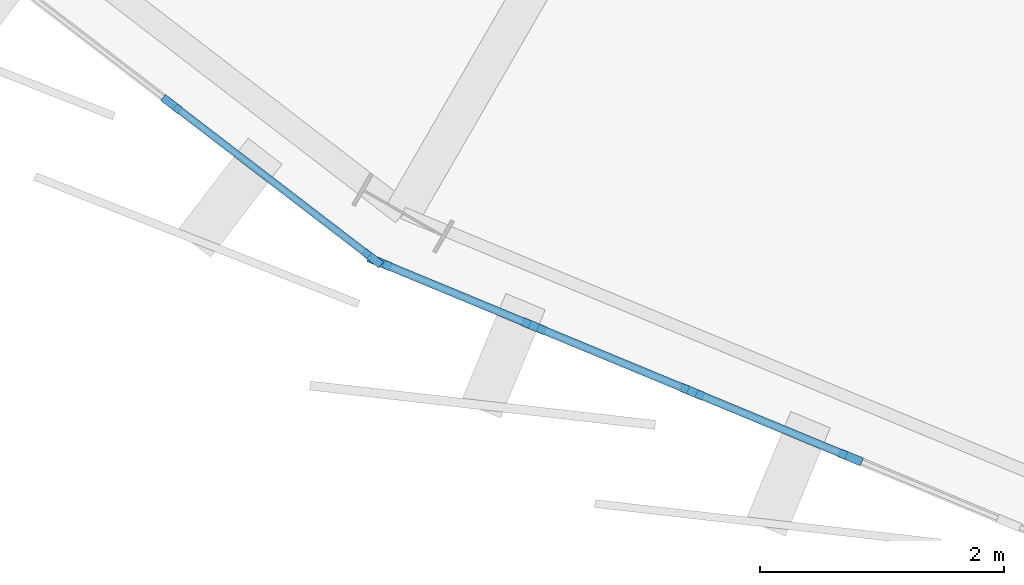
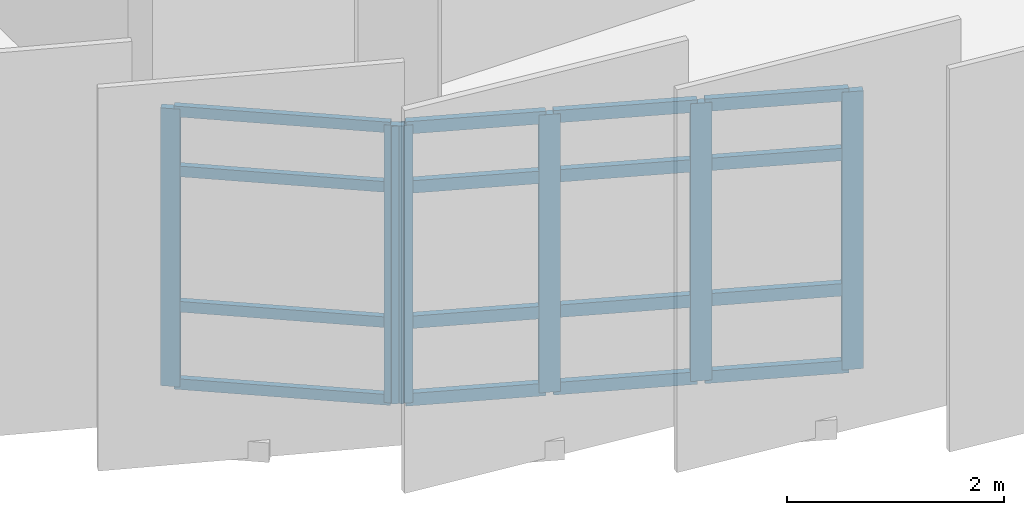
# One storey, part 25 of 125: 22 members, 2 elements without a shape of their own.
"""IFC4 building model written with IfcOpenShell, lengths in metres."""

import ifcopenshell
import ifcopenshell.guid

model = None  # the IFC model being written
_history = None  # IfcOwnerHistory: only IFC2X3 demands one
_inside = {}  # id of a spatial element -> (the spatial element, [elements in it])
_under = {}  # id of a project, library or spatial element -> (it, [spatial elements below it])
_declared = {}  # id of a project -> (the project, [libraries it declares])
_typed = {}  # id of a type object -> (the type object, [elements of that type])
_made_of = {}  # id of a material, layer set ... -> (it, [elements and type objects made of it])


def new_model(schema):
    """Start an empty IFC model of exactly this schema.

    Asked for "IFC4X3", IfcOpenShell would pick the latest addendum, in which some entities
    have other attributes; the version numbers below select the first issue.
    IFC2X3 requires an IfcOwnerHistory on every rooted entity: one is made here for all.
    """
    global model, _history
    if schema == "IFC4X3":
        model = ifcopenshell.file(schema_version=(4, 3, 0, 0))
    else:
        model = ifcopenshell.file(schema=schema)
    _inside.clear()
    _under.clear()
    _declared.clear()
    _typed.clear()
    _made_of.clear()
    _history = None
    if model.schema == "IFC2X3":
        org = make("IfcOrganization", Name="unknown")
        user = make(
            "IfcPersonAndOrganization",
            ThePerson=make("IfcPerson", FamilyName="unknown"),
            TheOrganization=org,
        )
        app = make(
            "IfcApplication",
            ApplicationDeveloper=org,
            Version="unknown",
            ApplicationFullName="unknown",
            ApplicationIdentifier="unknown",
        )
        _history = make(
            "IfcOwnerHistory",
            OwningUser=user,
            OwningApplication=app,
            ChangeAction="ADDED",
            CreationDate=0,
        )
    return model


def make(cls, **values):
    """One entity of the class cls with the attributes given. An attribute that is None is left unset."""
    return model.create_entity(
        cls, **{name: value for name, value in values.items() if value is not None}
    )


def rooted(cls, **values):
    """An entity with a GlobalId (a new one), such as an element, a storey or a relation."""
    return make(cls, GlobalId=ifcopenshell.guid.new(), OwnerHistory=_history, **values)


def si_unit(unit_type, name, prefix=None):
    """IfcSIUnit, for example si_unit("LENGTHUNIT", "METRE", prefix="MILLI")."""
    return make("IfcSIUnit", UnitType=unit_type, Prefix=prefix, Name=name)


def assignment(units):
    """IfcUnitAssignment: the units of a project."""
    return None if units is None else make("IfcUnitAssignment", Units=units)


def point(xyz):
    """IfcCartesianPoint."""
    return None if xyz is None else make("IfcCartesianPoint", Coordinates=xyz)


def direction(xyz):
    """IfcDirection."""
    return None if xyz is None else make("IfcDirection", DirectionRatios=xyz)


def frame(location, z_axis=None, x_axis=None):
    """IfcAxis2Placement3D, a coordinate frame: its origin and axes. An axis left out is left unset."""
    return make(
        "IfcAxis2Placement3D",
        Location=point(location),
        Axis=direction(z_axis),
        RefDirection=direction(x_axis),
    )


def frame_2d(location, x_axis=None):
    """IfcAxis2Placement2D, a coordinate frame in the plane: its origin and x axis."""
    return make(
        "IfcAxis2Placement2D", Location=point(location), RefDirection=direction(x_axis)
    )


def origin():
    """The frame at (0, 0, 0) with its axes left unset."""
    return frame((0.0, 0.0, 0.0))


def origin_2d():
    """The frame at (0, 0) in the plane with its x axis left unset."""
    return frame_2d((0.0, 0.0))


def place(relative_to, where):
    """IfcLocalPlacement: puts the frame where relative to a parent placement (None: the world)."""
    return make(
        "IfcLocalPlacement", PlacementRelTo=relative_to, RelativePlacement=where
    )


def context(
    kind, dimensions, precision=None, world=None, true_north=None, identifier=None
):
    """IfcGeometricRepresentationContext, for example the 3D "Model" context."""
    return make(
        "IfcGeometricRepresentationContext",
        ContextIdentifier=identifier,
        ContextType=kind,
        CoordinateSpaceDimension=dimensions,
        Precision=precision,
        WorldCoordinateSystem=world,
        TrueNorth=true_north,
    )


def subcontext(parent, identifier, kind, view, scale=None):
    """IfcGeometricRepresentationSubContext, for example "Body" below "Model"."""
    return make(
        "IfcGeometricRepresentationSubContext",
        ContextIdentifier=identifier,
        ContextType=kind,
        ParentContext=parent,
        TargetScale=scale,
        TargetView=view,
    )


def project(units=None, contexts=None):
    """IfcProject with its units and contexts."""
    return rooted(
        "IfcProject",
        Name="project",
        RepresentationContexts=contexts,
        UnitsInContext=assignment(units),
    )


def spatial(cls, under=None, at=None, **own):
    """A site, building, storey or space (cls), placed at a placement, below another one or the project."""
    s = rooted(cls, ObjectPlacement=at, **own)
    if under is not None:
        _under.setdefault(under.id(), (under, []))[1].append(s)
    return s


def profile(cls, at=None, kind="AREA", **sizes):
    """A parametric profile (cls). Its sizes go by their IFC names, for example OverallWidth=200.0."""
    return make(cls, ProfileType=kind, Position=at, **sizes)


def rectangle(**sizes):
    """IfcRectangleProfileDef."""
    return profile("IfcRectangleProfileDef", **sizes)


def extrude(swept, where, along, depth):
    """IfcExtrudedAreaSolid: the profile swept, set in the frame where, extruded along a direction by depth."""
    return make(
        "IfcExtrudedAreaSolid",
        SweptArea=swept,
        Position=where,
        ExtrudedDirection=direction(along),
        Depth=depth,
    )


def shape(context_of_items, identifier, shape_type, items):
    """IfcShapeRepresentation: the items that make up one representation, for example the "Body"."""
    return make(
        "IfcShapeRepresentation",
        ContextOfItems=context_of_items,
        RepresentationIdentifier=identifier,
        RepresentationType=shape_type,
        Items=items,
    )


def material(Name=None, Category=None):
    """IfcMaterial."""
    return make("IfcMaterial", Name=Name, Category=Category)


def layer(
    of_material, thickness, ventilated=None, Name=None, Category=None, Priority=None
):
    """IfcMaterialLayer: one layer of a wall or slab, of a material (None: an air gap)."""
    return make(
        "IfcMaterialLayer",
        Material=of_material,
        LayerThickness=thickness,
        IsVentilated=ventilated,
        Name=Name,
        Category=Category,
        Priority=Priority,
    )


def layer_set(layers, Name=None):
    """IfcMaterialLayerSet."""
    return make("IfcMaterialLayerSet", MaterialLayers=layers, LayerSetName=Name)


def material_profile(
    of_material, cross_section, Name=None, Category=None, Priority=None
):
    """IfcMaterialProfile: a cross section and its material."""
    return make(
        "IfcMaterialProfile",
        Name=Name,
        Material=of_material,
        Profile=cross_section,
        Priority=Priority,
        Category=Category,
    )


def profile_set(profiles, Name=None, composite=None):
    """IfcMaterialProfileSet."""
    return make(
        "IfcMaterialProfileSet",
        Name=Name,
        MaterialProfiles=profiles,
        CompositeProfile=composite,
    )


def made_of(thing, what):
    """Note that an element or type object is made of a material, layer set ...; save() writes the relation."""
    if what is not None:
        _made_of.setdefault(what.id(), (what, []))[1].append(thing)
    return thing


def type_object(cls, material=None, **own):
    """A type object (cls), such as IfcWallType, which elements share."""
    return made_of(rooted(cls, **own), material)


def element(
    cls,
    number,
    at=None,
    inside=None,
    cuts=None,
    type_object=None,
    material=None,
    context=None,
    identifier="Body",
    shape_type=None,
    held_by="IfcProductDefinitionShape",
    body=None,
    shapes=None,
    **own,
):
    """One element of the class cls, such as IfcWall. Its Tag is "e" and its number.

    at: its placement. inside: the storey or other place that contains it. cuts: it is an
    opening in that element (IfcRelVoidsElement). A single representation is given by context,
    identifier, shape_type and body (its items); several are given by shapes. held_by: the class
    of the entity that holds the representations. save() writes the other relations.
    """
    e = rooted(cls, Tag="e%d" % number, ObjectPlacement=at, **own)
    if body is not None:
        shapes = [shape(context, identifier, shape_type, body)]
    if shapes is not None:
        e.Representation = make(held_by, Representations=shapes)
    if inside is not None:
        _inside.setdefault(inside.id(), (inside, []))[1].append(e)
    if cuts is not None:
        rooted(
            "IfcRelVoidsElement", RelatingBuildingElement=cuts, RelatedOpeningElement=e
        )
    if type_object is not None:
        _typed.setdefault(type_object.id(), (type_object, []))[1].append(e)
    return made_of(e, material)


def aggregate(whole, parts):
    """IfcRelAggregates: a whole, such as a stair, and the parts it consists of."""
    return rooted("IfcRelAggregates", RelatingObject=whole, RelatedObjects=parts)


def save(model, path):
    """Write the relations noted so far, then the file.

    IfcRelAggregates (storeys below a building ...), IfcRelContainedInSpatialStructure (elements
    in a storey), IfcRelDefinesByType, IfcRelAssociatesMaterial and IfcRelDeclares: one each for
    every whole, place, type object, material and project.
    """
    for whole, parts in _under.values():
        aggregate(whole, parts)
    for where, things in _inside.values():
        rooted(
            "IfcRelContainedInSpatialStructure",
            RelatedElements=things,
            RelatingStructure=where,
        )
    for kind, things in _typed.values():
        rooted("IfcRelDefinesByType", RelatedObjects=things, RelatingType=kind)
    for what, things in _made_of.values():
        rooted("IfcRelAssociatesMaterial", RelatedObjects=things, RelatingMaterial=what)
    for by, libraries in _declared.values():
        rooted("IfcRelDeclares", RelatingContext=by, RelatedDefinitions=libraries)
    model.write(path)


model = new_model("IFC4")

# Units and contexts
model_context = context("Model", 3, precision=1e-05, world=origin(), true_north=direction((0.0, 1.0)))
body_context = subcontext(model_context, "Body", "Model", "MODEL_VIEW")
ifc_project = project(units=[si_unit("LENGTHUNIT", "METRE"), si_unit("AREAUNIT", "SQUARE_METRE"), si_unit("VOLUMEUNIT", "CUBIC_METRE"), si_unit("PLANEANGLEUNIT", "RADIAN"), si_unit("MASSUNIT", "GRAM", prefix="KILO")], contexts=[model_context])

# Site, building, storey
site_placement = place(None, origin())
site = spatial("IfcSite", under=ifc_project, at=site_placement, CompositionType="ELEMENT")
building_placement = place(site_placement, origin())
building = spatial("IfcBuilding", under=site, at=building_placement, Name="Sohan Crest Arena", CompositionType="ELEMENT")
storey_placement = place(building_placement, frame((0.0, 0.0, 9.0)))
storey = spatial("IfcBuildingStorey", under=building, at=storey_placement, Name="L02", CompositionType="ELEMENT", Elevation=9.0)

# Curtain wall, members
ifc_material = material(Name="Thermally broken anodised aluminium", Category="aluminium")
ifc_layer_1 = layer(ifc_material, 0.239990234375, Name="Thermally broken anodised aluminium")
ifc_layer_set_1 = layer_set([ifc_layer_1], Name="Thermally broken anodised aluminium")
curtain_wall_type_1 = type_object("IfcCurtainWallType", Name="ARC-CW04", PredefinedType="NOTDEFINED", material=ifc_layer_set_1)
curtain_wall_1_placement = place(storey_placement, origin())
curtain_wall_1 = element("IfcCurtainWall", 1, at=curtain_wall_1_placement, inside=storey, type_object=curtain_wall_type_1, Name="Unitised curtain wall CW-057", PredefinedType="NOTDEFINED")
ifc_material_profile_1 = material_profile(ifc_material, rectangle(XDim=0.06494140625, YDim=0.179931640625, at=origin_2d()), Name="ALU-MULL 65x180")
ifc_profile_set_1 = profile_set([ifc_material_profile_1], Name="Thermally broken anodised aluminium")
member_type_1 = type_object("IfcMemberType", Name="ARC-CW-ML02", PredefinedType="MULLION", material=ifc_profile_set_1)
member_1_placement = place(storey_placement, frame((72.102783203125, 37.32421875, 0.0), z_axis=(0.0, 0.0, 1.0), x_axis=(0.60879332716, 0.79332886296, 0.0)))
member_1 = element("IfcMember", 2, at=member_1_placement, type_object=member_type_1, Name="CW-057 mullion 6", PredefinedType="MULLION", context=body_context, shape_type="SweptSolid", body=[
    extrude(rectangle(XDim=0.06494140625, YDim=0.179931640625, at=origin_2d()), origin(), (0.0, 0.0, 1.0), 3.1201171875),
])
member_2_placement = place(storey_placement, frame((73.749267578125, 36.060791015625, 0.0), z_axis=(0.0, 0.0, 1.0), x_axis=(0.60879332716, 0.79332886296, 0.0)))
member_2 = element("IfcMember", 3, at=member_2_placement, type_object=member_type_1, Name="CW-057 mullion 7", PredefinedType="MULLION", context=body_context, shape_type="SweptSolid", body=[
    extrude(rectangle(XDim=0.06494140625, YDim=0.179931640625, at=origin_2d()), origin(), (0.0, 0.0, 1.0), 3.1201171875),
])

ifc_layer_2 = layer(ifc_material, 0.18994140625, Name="Thermally broken anodised aluminium")
ifc_layer_set_2 = layer_set([ifc_layer_2], Name="Thermally broken anodised aluminium")
curtain_wall_type_2 = type_object("IfcCurtainWallType", Name="ARC-CW05", PredefinedType="NOTDEFINED", material=ifc_layer_set_2)
curtain_wall_2_placement = place(storey_placement, origin())
curtain_wall_2 = element("IfcCurtainWall", 4, at=curtain_wall_2_placement, inside=storey, type_object=curtain_wall_type_2, Name="Unitised curtain wall CW-058", PredefinedType="NOTDEFINED")
ifc_material_profile_2 = material_profile(ifc_material, rectangle(XDim=0.070068359375, YDim=0.199951171875, at=origin_2d()), Name="ALU-MULL 70x200")
ifc_profile_set_2 = profile_set([ifc_material_profile_2], Name="Thermally broken anodised aluminium")
member_type_2 = type_object("IfcMemberType", Name="ARC-CW-ML03", PredefinedType="MULLION", material=ifc_profile_set_2)
member_3_placement = place(storey_placement, frame((73.807373046875, 36.027587890625, 0.0), z_axis=(0.0, 0.0, 1.0), x_axis=(0.382677663845, 0.92388192189, 0.0)))
member_3 = element("IfcMember", 5, at=member_3_placement, type_object=member_type_2, Name="CW-058 mullion 1", PredefinedType="MULLION", context=body_context, shape_type="SweptSolid", body=[
    extrude(rectangle(XDim=0.070068359375, YDim=0.199951171875, at=origin_2d()), origin(), (0.0, 0.0, 1.0), 3.1201171875),
])
member_4_placement = place(storey_placement, frame((75.0732421875, 35.503173828125, 0.0), z_axis=(0.0, 0.0, 1.0), x_axis=(0.382677663845, 0.92388192189, 0.0)))
member_4 = element("IfcMember", 6, at=member_4_placement, type_object=member_type_2, Name="CW-058 mullion 2", PredefinedType="MULLION", context=body_context, shape_type="SweptSolid", body=[
    extrude(rectangle(XDim=0.070068359375, YDim=0.199951171875, at=origin_2d()), origin(), (0.0, 0.0, 1.0), 3.1201171875),
])
member_5_placement = place(storey_placement, frame((76.37158203125, 34.96533203125, 0.0), z_axis=(0.0, 0.0, 1.0), x_axis=(0.382677663845, 0.92388192189, 0.0)))
member_5 = element("IfcMember", 7, at=member_5_placement, type_object=member_type_2, Name="CW-058 mullion 3", PredefinedType="MULLION", context=body_context, shape_type="SweptSolid", body=[
    extrude(rectangle(XDim=0.070068359375, YDim=0.199951171875, at=origin_2d()), origin(), (0.0, 0.0, 1.0), 3.1201171875),
])
member_6_placement = place(storey_placement, frame((77.669921875, 34.427734375, 0.0), z_axis=(0.0, 0.0, 1.0), x_axis=(0.382677663845, 0.92388192189, 0.0)))
member_6 = element("IfcMember", 8, at=member_6_placement, type_object=member_type_2, Name="CW-058 mullion 4", PredefinedType="MULLION", context=body_context, shape_type="SweptSolid", body=[
    extrude(rectangle(XDim=0.070068359375, YDim=0.199951171875, at=origin_2d()), origin(), (0.0, 0.0, 1.0), 3.1201171875),
])

# Member
ifc_material_profile_3 = material_profile(ifc_material, rectangle(XDim=0.06005859375, YDim=0.1201171875, at=origin_2d()), Name="ALU-TRAN 60x120")
ifc_profile_set_3 = profile_set([ifc_material_profile_3], Name="Thermally broken anodised aluminium")
member_type_3 = type_object("IfcMemberType", Name="ARC-CW-TR01", PredefinedType="USERDEFINED", material=ifc_profile_set_3)
member_7_placement = place(storey_placement, frame((72.12841796875, 37.304443359375, 0.030029296875), z_axis=(0.793350244306, -0.608765463754, 0.0), x_axis=(0.608765463754, 0.793350244306, 0.0)))
member_7 = element("IfcMember", 9, at=member_7_placement, type_object=member_type_3, Name="CW-057 transom 6.1", ObjectType="TRANSOM", PredefinedType="USERDEFINED", context=body_context, shape_type="SweptSolid", body=[
    extrude(rectangle(XDim=0.06005859375, YDim=0.1201171875, at=origin_2d()), origin(), (0.0, 0.0, 1.0), 2.010498046875),
])

member_8_placement = place(storey_placement, frame((72.12841796875, 37.304443359375, 0.89990234375), z_axis=(0.793350244306, -0.608765463754, 0.0), x_axis=(0.608765463754, 0.793350244306, 0.0)))
member_8 = element("IfcMember", 10, at=member_8_placement, type_object=member_type_3, Name="CW-057 transom 6.2", ObjectType="TRANSOM", PredefinedType="USERDEFINED", context=body_context, shape_type="SweptSolid", body=[
    extrude(rectangle(XDim=0.06005859375, YDim=0.1201171875, at=origin_2d()), origin(), (0.0, 0.0, 1.0), 2.010498046875),
])

member_9_placement = place(storey_placement, frame((72.12841796875, 37.304443359375, 2.419921875), z_axis=(0.793350244306, -0.608765463754, 0.0), x_axis=(0.608765463754, 0.793350244306, 0.0)))
member_9 = element("IfcMember", 11, at=member_9_placement, type_object=member_type_3, Name="CW-057 transom 6.3", ObjectType="TRANSOM", PredefinedType="USERDEFINED", context=body_context, shape_type="SweptSolid", body=[
    extrude(rectangle(XDim=0.06005859375, YDim=0.1201171875, at=origin_2d()), origin(), (0.0, 0.0, 1.0), 2.010498046875),
])

member_10_placement = place(storey_placement, frame((72.12841796875, 37.304443359375, 3.090087890625), z_axis=(0.793350244306, -0.608765463754, 0.0), x_axis=(0.608765463754, 0.793350244306, 0.0)))
member_10 = element("IfcMember", 12, at=member_10_placement, type_object=member_type_3, Name="CW-057 transom 6.4", ObjectType="TRANSOM", PredefinedType="USERDEFINED", context=body_context, shape_type="SweptSolid", body=[
    extrude(rectangle(XDim=0.06005859375, YDim=0.1201171875, at=origin_2d()), origin(), (0.0, 0.0, 1.0), 2.010498046875),
])

aggregate(curtain_wall_1, [member_1, member_2, member_7, member_8, member_9, member_10])

ifc_material_profile_4 = material_profile(ifc_material, rectangle(XDim=0.06494140625, YDim=0.139892578125, at=origin_2d()), Name="ALU-TRAN 65x140")
ifc_profile_set_4 = profile_set([ifc_material_profile_4], Name="Thermally broken anodised aluminium")
member_type_4 = type_object("IfcMemberType", Name="ARC-CW-TR02", PredefinedType="USERDEFINED", material=ifc_profile_set_4)
member_11_placement = place(storey_placement, frame((73.839599609375, 36.01416015625, 0.032470703125), z_axis=(0.923902427503, -0.382628154288, 0.0), x_axis=(0.382628154288, 0.923902427503, 0.0)))
member_11 = element("IfcMember", 13, at=member_11_placement, type_object=member_type_4, Name="CW-058 transom 1.1", ObjectType="TRANSOM", PredefinedType="USERDEFINED", context=body_context, shape_type="SweptSolid", body=[
    extrude(rectangle(XDim=0.06494140625, YDim=0.139892578125, at=origin_2d()), origin(), (0.0, 0.0, 1.0), 1.30029296875),
])

member_12_placement = place(storey_placement, frame((73.839599609375, 36.01416015625, 0.89990234375), z_axis=(0.923902427503, -0.382628154288, 0.0), x_axis=(0.382628154288, 0.923902427503, 0.0)))
member_12 = element("IfcMember", 14, at=member_12_placement, type_object=member_type_4, Name="CW-058 transom 1.2", ObjectType="TRANSOM", PredefinedType="USERDEFINED", context=body_context, shape_type="SweptSolid", body=[
    extrude(rectangle(XDim=0.06494140625, YDim=0.139892578125, at=origin_2d()), origin(), (0.0, 0.0, 1.0), 1.30029296875),
])

member_13_placement = place(storey_placement, frame((73.839599609375, 36.01416015625, 2.419921875), z_axis=(0.923902427503, -0.382628154288, 0.0), x_axis=(0.382628154288, 0.923902427503, 0.0)))
member_13 = element("IfcMember", 15, at=member_13_placement, type_object=member_type_4, Name="CW-058 transom 1.3", ObjectType="TRANSOM", PredefinedType="USERDEFINED", context=body_context, shape_type="SweptSolid", body=[
    extrude(rectangle(XDim=0.06494140625, YDim=0.139892578125, at=origin_2d()), origin(), (0.0, 0.0, 1.0), 1.30029296875),
])

member_14_placement = place(storey_placement, frame((73.839599609375, 36.01416015625, 3.08740234375), z_axis=(0.923902427503, -0.382628154288, 0.0), x_axis=(0.382628154288, 0.923902427503, 0.0)))
member_14 = element("IfcMember", 16, at=member_14_placement, type_object=member_type_4, Name="CW-058 transom 1.4", ObjectType="TRANSOM", PredefinedType="USERDEFINED", context=body_context, shape_type="SweptSolid", body=[
    extrude(rectangle(XDim=0.06494140625, YDim=0.139892578125, at=origin_2d()), origin(), (0.0, 0.0, 1.0), 1.30029296875),
])

member_15_placement = place(storey_placement, frame((75.105712890625, 35.48974609375, 0.032470703125), z_axis=(0.923880898456, -0.382680134666, 0.0), x_axis=(0.382680134666, 0.923880898456, 0.0)))
member_15 = element("IfcMember", 17, at=member_15_placement, type_object=member_type_4, Name="CW-058 transom 2.1", ObjectType="TRANSOM", PredefinedType="USERDEFINED", context=body_context, shape_type="SweptSolid", body=[
    extrude(rectangle(XDim=0.06494140625, YDim=0.139892578125, at=origin_2d()), origin(), (0.0, 0.0, 1.0), 1.335205078125),
])

member_16_placement = place(storey_placement, frame((75.105712890625, 35.48974609375, 0.89990234375), z_axis=(0.923880898456, -0.382680134666, 0.0), x_axis=(0.382680134666, 0.923880898456, 0.0)))
member_16 = element("IfcMember", 18, at=member_16_placement, type_object=member_type_4, Name="CW-058 transom 2.2", ObjectType="TRANSOM", PredefinedType="USERDEFINED", context=body_context, shape_type="SweptSolid", body=[
    extrude(rectangle(XDim=0.06494140625, YDim=0.139892578125, at=origin_2d()), origin(), (0.0, 0.0, 1.0), 1.335205078125),
])

member_17_placement = place(storey_placement, frame((75.105712890625, 35.48974609375, 2.419921875), z_axis=(0.923880898456, -0.382680134666, 0.0), x_axis=(0.382680134666, 0.923880898456, 0.0)))
member_17 = element("IfcMember", 19, at=member_17_placement, type_object=member_type_4, Name="CW-058 transom 2.3", ObjectType="TRANSOM", PredefinedType="USERDEFINED", context=body_context, shape_type="SweptSolid", body=[
    extrude(rectangle(XDim=0.06494140625, YDim=0.139892578125, at=origin_2d()), origin(), (0.0, 0.0, 1.0), 1.335205078125),
])

member_18_placement = place(storey_placement, frame((75.105712890625, 35.48974609375, 3.08740234375), z_axis=(0.923880898456, -0.382680134666, 0.0), x_axis=(0.382680134666, 0.923880898456, 0.0)))
member_18 = element("IfcMember", 20, at=member_18_placement, type_object=member_type_4, Name="CW-058 transom 2.4", ObjectType="TRANSOM", PredefinedType="USERDEFINED", context=body_context, shape_type="SweptSolid", body=[
    extrude(rectangle(XDim=0.06494140625, YDim=0.139892578125, at=origin_2d()), origin(), (0.0, 0.0, 1.0), 1.335205078125),
])

member_19_placement = place(storey_placement, frame((76.404052734375, 34.9521484375, 0.032470703125), z_axis=(0.923880898456, -0.382680134666, 0.0), x_axis=(0.382680134666, 0.923880898456, 0.0)))
member_19 = element("IfcMember", 21, at=member_19_placement, type_object=member_type_4, Name="CW-058 transom 3.1", ObjectType="TRANSOM", PredefinedType="USERDEFINED", context=body_context, shape_type="SweptSolid", body=[
    extrude(rectangle(XDim=0.06494140625, YDim=0.139892578125, at=origin_2d()), origin(), (0.0, 0.0, 1.0), 1.335205078125),
])

member_20_placement = place(storey_placement, frame((76.404052734375, 34.9521484375, 0.89990234375), z_axis=(0.923880898456, -0.382680134666, 0.0), x_axis=(0.382680134666, 0.923880898456, 0.0)))
member_20 = element("IfcMember", 22, at=member_20_placement, type_object=member_type_4, Name="CW-058 transom 3.2", ObjectType="TRANSOM", PredefinedType="USERDEFINED", context=body_context, shape_type="SweptSolid", body=[
    extrude(rectangle(XDim=0.06494140625, YDim=0.139892578125, at=origin_2d()), origin(), (0.0, 0.0, 1.0), 1.335205078125),
])

member_21_placement = place(storey_placement, frame((76.404052734375, 34.9521484375, 2.419921875), z_axis=(0.923880898456, -0.382680134666, 0.0), x_axis=(0.382680134666, 0.923880898456, 0.0)))
member_21 = element("IfcMember", 23, at=member_21_placement, type_object=member_type_4, Name="CW-058 transom 3.3", ObjectType="TRANSOM", PredefinedType="USERDEFINED", context=body_context, shape_type="SweptSolid", body=[
    extrude(rectangle(XDim=0.06494140625, YDim=0.139892578125, at=origin_2d()), origin(), (0.0, 0.0, 1.0), 1.335205078125),
])

member_22_placement = place(storey_placement, frame((76.404052734375, 34.9521484375, 3.08740234375), z_axis=(0.923880898456, -0.382680134666, 0.0), x_axis=(0.382680134666, 0.923880898456, 0.0)))
member_22 = element("IfcMember", 24, at=member_22_placement, type_object=member_type_4, Name="CW-058 transom 3.4", ObjectType="TRANSOM", PredefinedType="USERDEFINED", context=body_context, shape_type="SweptSolid", body=[
    extrude(rectangle(XDim=0.06494140625, YDim=0.139892578125, at=origin_2d()), origin(), (0.0, 0.0, 1.0), 1.335205078125),
])

aggregate(curtain_wall_2, [member_3, member_4, member_5, member_6, member_11, member_12, member_13, member_14, member_15, member_16, member_17, member_18, member_19, member_20, member_21, member_22])

save(model, "model.ifc")
